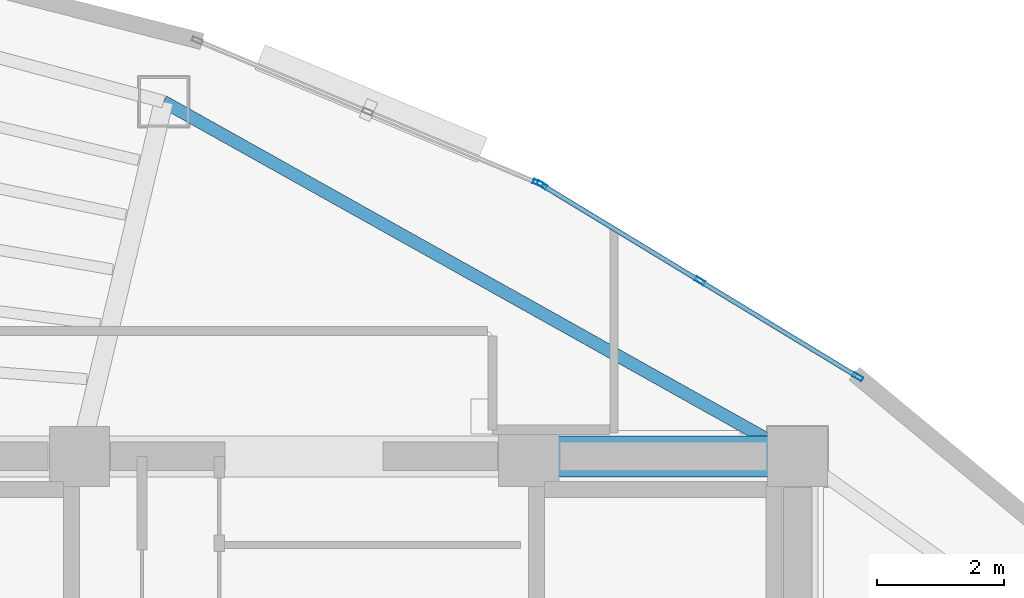
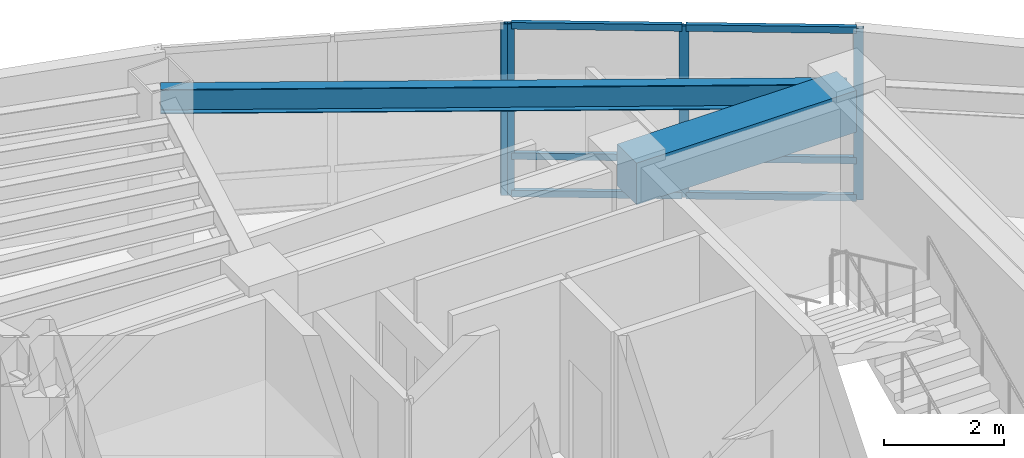
# One storey, part 10 of 15: 10 members, 2 beams, 2 elements without a shape of their own.
"""IFC4 building model written with IfcOpenShell, lengths in metres."""

from ifc_helpers import new_model, si_unit, direction, frame, origin, origin_2d, place, context, subcontext, project, spatial, rectangle, hollow_rectangle, i_section, extrude, material, layer, layer_set, material_profile, profile_set, type_object, element, aggregate, save


model = new_model("IFC4")

# Units and contexts
model_context = context("Model", 3, precision=1e-05, world=origin(), true_north=direction((0.0, 1.0)))
body_context = subcontext(model_context, "Body", "Model", "MODEL_VIEW")
ifc_project = project(units=[si_unit("LENGTHUNIT", "METRE"), si_unit("AREAUNIT", "SQUARE_METRE"), si_unit("VOLUMEUNIT", "CUBIC_METRE"), si_unit("PLANEANGLEUNIT", "RADIAN"), si_unit("MASSUNIT", "GRAM", prefix="KILO")], contexts=[model_context])

# Site, building, storey
site_placement = place(None, origin())
site = spatial("IfcSite", under=ifc_project, at=site_placement, CompositionType="ELEMENT")
building_placement = place(site_placement, origin())
building = spatial("IfcBuilding", under=site, at=building_placement, Name="Menara Vayukalpa", CompositionType="ELEMENT")
storey_placement = place(building_placement, frame((0.0, 0.0, 258.300048828125)))
storey = spatial("IfcBuildingStorey", under=building, at=storey_placement, Name="L65", CompositionType="ELEMENT", Elevation=258.300048828125)

# Beams
ifc_material_1 = material(Name="Concrete C60/75", Category="concrete")
ifc_material_profile_1 = material_profile(ifc_material_1, rectangle(XDim=0.64990234375, YDim=0.85009765625, at=origin_2d()), Name="RC 650x850")
ifc_profile_set_1 = profile_set([ifc_material_profile_1], Name="Concrete C60/75")
beam_type_1 = type_object("IfcBeamType", Name="BM-CB1", PredefinedType="BEAM", material=ifc_profile_set_1)
beam_1_placement = place(storey_placement, frame((29.14990234375, 26.800048828125, 3.074951171875), z_axis=(1.0, 0.0, 0.0), x_axis=(0.0, 1.0, 0.0)))
element("IfcBeam", 1, at=beam_1_placement, inside=storey, type_object=beam_type_1, Name="L65 Core Tie Beam CBR6", PredefinedType="BEAM", context=body_context, shape_type="SweptSolid", body=[
    extrude(rectangle(XDim=0.64990234375, YDim=0.85009765625, at=origin_2d()), origin(), (0.0, 0.0, 1.0), 4.25),
])
ifc_material_2 = material(Name="Steel S355", Category="steel")
ifc_material_profile_2 = material_profile(ifc_material_2, i_section(OverallWidth=0.199951171875, OverallDepth=0.5, WebThickness=0.010009765625, FlangeThickness=0.01611328125, at=origin_2d()), Name="WF 500x200x10x16")
ifc_profile_set_2 = profile_set([ifc_material_profile_2], Name="Steel S355")
beam_type_2 = type_object("IfcBeamType", Name="BM-SP3", PredefinedType="SPANDREL", material=ifc_profile_set_2)
beam_2_placement = place(storey_placement, frame((33.39990234375, 26.800048828125, 3.25), z_axis=(-0.87270577288, 0.48824648896, 0.0), x_axis=(-0.48824648896, -0.87270577288, 0.0)))
element("IfcBeam", 2, at=beam_2_placement, inside=storey, type_object=beam_type_2, Name="L65 Perimeter Spandrel Beam SP02", PredefinedType="SPANDREL", context=body_context, shape_type="SweptSolid", body=[
    extrude(i_section(OverallWidth=0.199951171875, OverallDepth=0.5, WebThickness=0.010009765625, FlangeThickness=0.01611328125, at=origin_2d()), origin(), (0.0, 0.0, 1.0), 11.479248046875),
])

# Curtain wall, members
ifc_material_3 = material(Name="Anodised Terracotta Aluminium Alloy 6063-T6", Category="masonry")
ifc_layer = layer(ifc_material_3, 0.1650390625)
ifc_layer_set = layer_set([ifc_layer], Name="Anodised Terracotta Aluminium Alloy 6063-T6")
curtain_wall_type = type_object("IfcCurtainWallType", Name="CW-CW6", PredefinedType="USERDEFINED", material=ifc_layer_set)
curtain_wall_1_placement = place(storey_placement, origin())
curtain_wall_1 = element("IfcCurtainWall", 3, at=curtain_wall_1_placement, inside=storey, type_object=curtain_wall_type, Name="L65 Observation and Executive Curtain Wall CW6 04", ObjectType="UNITISED", PredefinedType="USERDEFINED")
ifc_material_4 = material(Name="Anodised Terracotta Aluminium Alloy 6063-T6", Category="masonry")
ifc_material_profile_3 = material_profile(ifc_material_4, hollow_rectangle(XDim=0.070068359375, YDim=0.1650390625, WallThickness=0.00390625, at=origin_2d()), Name="ALU 70x165x4")
ifc_profile_set_3 = profile_set([ifc_material_profile_3], Name="Anodised Terracotta Aluminium Alloy 6063-T6")
member_type_1 = type_object("IfcMemberType", Name="CWM-CW6", PredefinedType="MULLION", material=ifc_profile_set_3)
member_1_placement = place(storey_placement, frame((34.35009765625, 28.056396484375, 0.0), z_axis=(0.0, 0.0, 1.0), x_axis=(-0.519175574558, -0.854667609532, 0.0)))
member_1 = element("IfcMember", 4, at=member_1_placement, type_object=member_type_1, Name="CW6 mullion 1", PredefinedType="MULLION", context=body_context, shape_type="SweptSolid", body=[
    extrude(hollow_rectangle(XDim=0.070068359375, YDim=0.1650390625, WallThickness=0.00390625, at=origin_2d()), origin(), (0.0, 0.0, 1.0), 3.5),
])
member_2_placement = place(storey_placement, frame((31.85546875, 29.57177734375, 0.0), z_axis=(0.0, 0.0, 1.0), x_axis=(-0.519175574558, -0.854667609532, 0.0)))
member_2 = element("IfcMember", 5, at=member_2_placement, type_object=member_type_1, Name="CW6 mullion 2", PredefinedType="MULLION", context=body_context, shape_type="SweptSolid", body=[
    extrude(hollow_rectangle(XDim=0.070068359375, YDim=0.1650390625, WallThickness=0.00390625, at=origin_2d()), origin(), (0.0, 0.0, 1.0), 3.5),
])
member_3_placement = place(storey_placement, frame((29.36083984375, 31.087158203125, 0.0), z_axis=(0.0, 0.0, 1.0), x_axis=(-0.519175574558, -0.854667609532, 0.0)))
member_3 = element("IfcMember", 6, at=member_3_placement, type_object=member_type_1, Name="CW6 mullion 3", PredefinedType="MULLION", context=body_context, shape_type="SweptSolid", body=[
    extrude(hollow_rectangle(XDim=0.070068359375, YDim=0.1650390625, WallThickness=0.00390625, at=origin_2d()), origin(), (0.0, 0.0, 1.0), 3.5),
])

# Curtain wall, member
curtain_wall_2_placement = place(storey_placement, origin())
curtain_wall_2 = element("IfcCurtainWall", 7, at=curtain_wall_2_placement, inside=storey, type_object=curtain_wall_type, Name="L65 Observation and Executive Curtain Wall CW6 05", ObjectType="UNITISED", PredefinedType="USERDEFINED")
member_4_placement = place(storey_placement, frame((29.298828125, 31.118896484375, 0.0), z_axis=(0.0, 0.0, 1.0), x_axis=(-0.385899911703, -0.922540653927, 0.0)))
member_4 = element("IfcMember", 8, at=member_4_placement, type_object=member_type_1, Name="CW6 mullion 1", PredefinedType="MULLION", context=body_context, shape_type="SweptSolid", body=[
    extrude(hollow_rectangle(XDim=0.070068359375, YDim=0.1650390625, WallThickness=0.00390625, at=origin_2d()), origin(), (0.0, 0.0, 1.0), 3.5),
])
aggregate(curtain_wall_2, [member_4])

# Member
ifc_material_5 = material(Name="Anodised Terracotta Aluminium Alloy 6063-T6", Category="masonry")
ifc_material_profile_4 = material_profile(ifc_material_5, hollow_rectangle(XDim=0.074951171875, YDim=0.135009765625, WallThickness=0.00390625, at=origin_2d()), Name="ALU 75x135x4")
ifc_profile_set_4 = profile_set([ifc_material_profile_4], Name="Anodised Terracotta Aluminium Alloy 6063-T6")
member_type_2 = type_object("IfcMemberType", Name="CWT-CW6", PredefinedType="USERDEFINED", material=ifc_profile_set_4)
member_5_placement = place(storey_placement, frame((34.320068359375, 28.07470703125, 0.037353515625), z_axis=(-0.854674800659, 0.519163736328, 0.0), x_axis=(-0.519163736328, -0.85467480066, 0.0)))
member_5 = element("IfcMember", 9, at=member_5_placement, type_object=member_type_2, Name="CW6 transom 1.1", ObjectType="TRANSOM", PredefinedType="USERDEFINED", context=body_context, shape_type="SweptSolid", body=[
    extrude(hollow_rectangle(XDim=0.074951171875, YDim=0.135009765625, WallThickness=0.00390625, at=origin_2d()), origin(), (0.0, 0.0, 1.0), 2.848876953125),
])

member_6_placement = place(storey_placement, frame((34.320068359375, 28.07470703125, 0.800048828125), z_axis=(-0.854674800659, 0.519163736328, 0.0), x_axis=(-0.519163736328, -0.85467480066, 0.0)))
member_6 = element("IfcMember", 10, at=member_6_placement, type_object=member_type_2, Name="CW6 transom 1.2", ObjectType="TRANSOM", PredefinedType="USERDEFINED", context=body_context, shape_type="SweptSolid", body=[
    extrude(hollow_rectangle(XDim=0.074951171875, YDim=0.135009765625, WallThickness=0.00390625, at=origin_2d()), origin(), (0.0, 0.0, 1.0), 2.848876953125),
])

member_7_placement = place(storey_placement, frame((34.320068359375, 28.07470703125, 3.46240234375), z_axis=(-0.854674800659, 0.519163736328, 0.0), x_axis=(-0.519163736328, -0.85467480066, 0.0)))
member_7 = element("IfcMember", 11, at=member_7_placement, type_object=member_type_2, Name="CW6 transom 1.3", ObjectType="TRANSOM", PredefinedType="USERDEFINED", context=body_context, shape_type="SweptSolid", body=[
    extrude(hollow_rectangle(XDim=0.074951171875, YDim=0.135009765625, WallThickness=0.00390625, at=origin_2d()), origin(), (0.0, 0.0, 1.0), 2.848876953125),
])

member_8_placement = place(storey_placement, frame((31.825439453125, 29.590087890625, 0.037353515625), z_axis=(-0.854689729536, 0.519139158825, 0.0), x_axis=(-0.519139158825, -0.854689729536, 0.0)))
member_8 = element("IfcMember", 12, at=member_8_placement, type_object=member_type_2, Name="CW6 transom 2.1", ObjectType="TRANSOM", PredefinedType="USERDEFINED", context=body_context, shape_type="SweptSolid", body=[
    extrude(hollow_rectangle(XDim=0.074951171875, YDim=0.135009765625, WallThickness=0.00390625, at=origin_2d()), origin(), (0.0, 0.0, 1.0), 2.848388671875),
])

member_9_placement = place(storey_placement, frame((31.825439453125, 29.590087890625, 0.800048828125), z_axis=(-0.854689729536, 0.519139158825, 0.0), x_axis=(-0.519139158825, -0.854689729536, 0.0)))
member_9 = element("IfcMember", 13, at=member_9_placement, type_object=member_type_2, Name="CW6 transom 2.2", ObjectType="TRANSOM", PredefinedType="USERDEFINED", context=body_context, shape_type="SweptSolid", body=[
    extrude(hollow_rectangle(XDim=0.074951171875, YDim=0.135009765625, WallThickness=0.00390625, at=origin_2d()), origin(), (0.0, 0.0, 1.0), 2.848388671875),
])

member_10_placement = place(storey_placement, frame((31.825439453125, 29.590087890625, 3.46240234375), z_axis=(-0.854689729536, 0.519139158825, 0.0), x_axis=(-0.519139158825, -0.854689729536, 0.0)))
member_10 = element("IfcMember", 14, at=member_10_placement, type_object=member_type_2, Name="CW6 transom 2.3", ObjectType="TRANSOM", PredefinedType="USERDEFINED", context=body_context, shape_type="SweptSolid", body=[
    extrude(hollow_rectangle(XDim=0.074951171875, YDim=0.135009765625, WallThickness=0.00390625, at=origin_2d()), origin(), (0.0, 0.0, 1.0), 2.848388671875),
])

aggregate(curtain_wall_1, [member_1, member_2, member_3, member_5, member_6, member_7, member_8, member_9, member_10])

save(model, "model.ifc")
